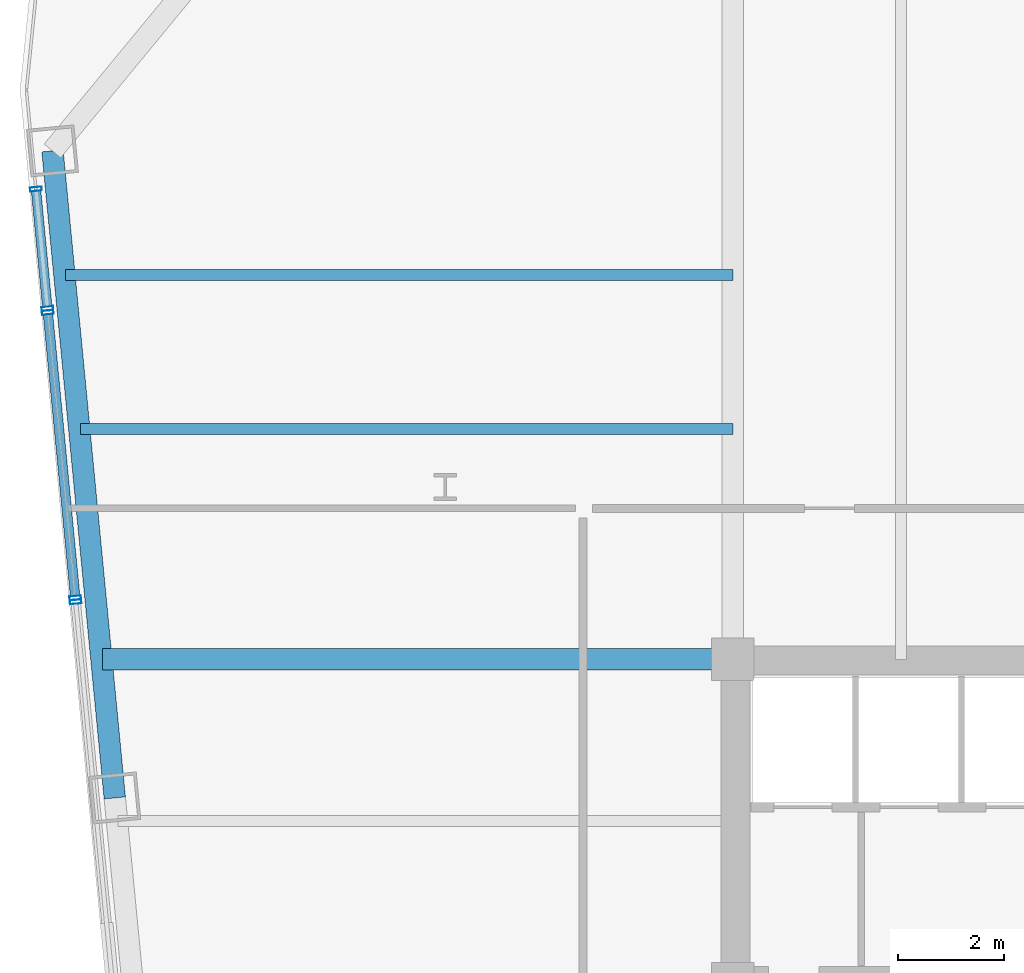
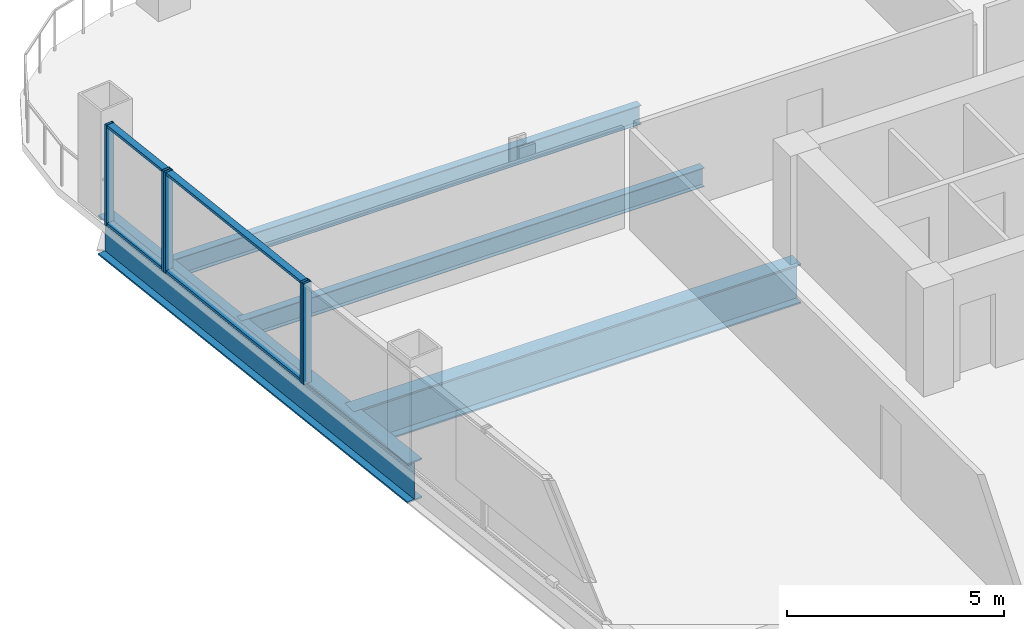
# One storey, part 14 of 26: 9 members, 4 beams, 3 elements without a shape of their own.
"""IFC4 building model written with IfcOpenShell, lengths in metres."""

from ifc_helpers import new_model, si_unit, direction, frame, origin, origin_2d, place, context, subcontext, project, spatial, hollow_rectangle, i_section, extrude, material, layer, layer_set, material_profile, profile_set, type_object, element, aggregate, save


model = new_model("IFC4")

# Units and contexts
model_context = context("Model", 3, precision=1e-05, world=origin(), true_north=direction((0.0, 1.0)))
body_context = subcontext(model_context, "Body", "Model", "MODEL_VIEW")
ifc_project = project(units=[si_unit("LENGTHUNIT", "METRE"), si_unit("AREAUNIT", "SQUARE_METRE"), si_unit("VOLUMEUNIT", "CUBIC_METRE"), si_unit("PLANEANGLEUNIT", "RADIAN"), si_unit("MASSUNIT", "GRAM", prefix="KILO")], contexts=[model_context])

# Site, building, storey
site_placement = place(None, origin())
site = spatial("IfcSite", under=ifc_project, at=site_placement, CompositionType="ELEMENT")
building_placement = place(site_placement, origin())
building = spatial("IfcBuilding", under=site, at=building_placement, Name="Qhalaya Broadcast Tower", CompositionType="ELEMENT")
storey_placement = place(building_placement, frame((0.0, 0.0, 72.5)))
storey = spatial("IfcBuildingStorey", under=building, at=storey_placement, Name="L20", CompositionType="ELEMENT", Elevation=72.5)

# Beams
ifc_material_1 = material(Name="Structural Steel ASTM A992 Grade 50", Category="steel")
ifc_material_profile_1 = material_profile(ifc_material_1, i_section(OverallWidth=0.2099609375, OverallDepth=0.535888671875, WebThickness=0.010986328125, FlangeThickness=0.017333984375, at=origin_2d()), Name="W21X68")
ifc_profile_set_1 = profile_set([ifc_material_profile_1], Name="Structural Steel ASTM A992 Grade 50")
beam_type_1 = type_object("IfcBeamType", Name="Composite Floor Joist J02", PredefinedType="JOIST", material=ifc_profile_set_1)
beam_1_placement = place(storey_placement, frame((-21.6875, 14.300048828125, -0.488037109375), z_axis=(1.0, 0.0, 0.0), x_axis=(0.0, 1.0, 0.0)))
element("IfcBeam", 1, at=beam_1_placement, inside=storey, type_object=beam_type_1, Name="L20 J02 L20-JWE6W-1", PredefinedType="JOIST", context=body_context, shape_type="SweptSolid", body=[
    extrude(i_section(OverallWidth=0.2099609375, OverallDepth=0.535888671875, WebThickness=0.010986328125, FlangeThickness=0.017333984375, at=origin_2d()), origin(), (0.0, 0.0, 1.0), 12.3125),
])
beam_2_placement = place(storey_placement, frame((-21.966796875, 17.199951171875, -0.488037109375), z_axis=(1.0, 0.0, 0.0), x_axis=(0.0, 1.0, 0.0)))
element("IfcBeam", 2, at=beam_2_placement, inside=storey, type_object=beam_type_1, Name="L20 J02 L20-JWE7W-1", PredefinedType="JOIST", context=body_context, shape_type="SweptSolid", body=[
    extrude(i_section(OverallWidth=0.2099609375, OverallDepth=0.535888671875, WebThickness=0.010986328125, FlangeThickness=0.017333984375, at=origin_2d()), origin(), (0.0, 0.0, 1.0), 12.591796875),
])
ifc_material_profile_2 = material_profile(ifc_material_1, i_section(OverallWidth=0.404052734375, OverallDepth=1.117919921875, WebThickness=0.026123046875, FlangeThickness=0.044921875, at=origin_2d()), Name="W44X335")
ifc_profile_set_2 = profile_set([ifc_material_profile_2], Name="Structural Steel ASTM A992 Grade 50")
beam_type_2 = type_object("IfcBeamType", Name="Podium Long-Span Primary Girder PG1", PredefinedType="USERDEFINED", material=ifc_profile_set_2)
beam_3_placement = place(storey_placement, frame((-22.212646484375, 19.54541015625, -0.779052734375), z_axis=(0.095851586307, -0.99539563662, 0.0), x_axis=(0.99539563662, 0.095851586307, 0.0)))
element("IfcBeam", 3, at=beam_3_placement, inside=storey, type_object=beam_type_2, Name="L20 PG1 L20-SPR-13", ObjectType="GIRDER", PredefinedType="USERDEFINED", context=body_context, shape_type="SweptSolid", body=[
    extrude(i_section(OverallWidth=0.404052734375, OverallDepth=1.117919921875, WebThickness=0.026123046875, FlangeThickness=0.044921875, at=origin_2d()), origin(), (0.0, 0.0, 1.0), 12.2666015625),
])
beam_4_placement = place(storey_placement, frame((-21.2685546875, 9.949951171875, -0.779052734375), z_axis=(1.0, 0.0, 0.0), x_axis=(0.0, 1.0, 0.0)))
element("IfcBeam", 4, at=beam_4_placement, inside=storey, type_object=beam_type_2, Name="L20 PG1 L20-PGYW4-1", ObjectType="GIRDER", PredefinedType="USERDEFINED", context=body_context, shape_type="SweptSolid", body=[
    extrude(i_section(OverallWidth=0.404052734375, OverallDepth=1.117919921875, WebThickness=0.026123046875, FlangeThickness=0.044921875, at=origin_2d()), origin(), (0.0, 0.0, 1.0), 11.8935546875),
])

# Curtain wall, members
ifc_material_2 = material(Name="Fired Architectural Terracotta", Category="masonry")
ifc_layer_1 = layer(ifc_material_2, 0.219970703125, Name="Fired Architectural Terracotta")
ifc_layer_set_1 = layer_set([ifc_layer_1], Name="Fired Architectural Terracotta")
curtain_wall_type_1 = type_object("IfcCurtainWallType", Name="Block-Cap Unitised Terracotta Spandrel Wall CW-07", PredefinedType="NOTDEFINED", material=ifc_layer_set_1)
curtain_wall_1_placement = place(storey_placement, origin())
curtain_wall_1 = element("IfcCurtainWall", 5, at=curtain_wall_1_placement, inside=storey, type_object=curtain_wall_type_1, Name="L20 Unitised Curtain Wall L20-CW-W1", PredefinedType="NOTDEFINED")
ifc_material_3 = material(Name="Anodised Aluminium 6063-T6", Category="aluminium")
ifc_material_profile_3 = material_profile(ifc_material_3, hollow_rectangle(XDim=0.074951171875, YDim=0.219970703125, WallThickness=0.00390625, at=origin_2d()), Name="ALU-MUL 75x220x4")
ifc_profile_set_3 = profile_set([ifc_material_profile_3], Name="Anodised Aluminium 6063-T6")
member_type_1 = type_object("IfcMemberType", Name="Unitised Curtain-Wall Mullion M01", PredefinedType="MULLION", material=ifc_profile_set_3)
member_1_placement = place(storey_placement, frame((-22.52490234375, 18.82470703125, 0.0), z_axis=(0.0, 0.0, 1.0), x_axis=(0.095855723819, -0.99539523819, 0.0)))
member_1 = element("IfcMember", 6, at=member_1_placement, type_object=member_type_1, Name="CW-07 mullion 1", PredefinedType="MULLION", context=body_context, shape_type="SweptSolid", body=[
    extrude(hollow_rectangle(XDim=0.074951171875, YDim=0.219970703125, WallThickness=0.00390625, at=origin_2d()), origin(), (0.0, 0.0, 1.0), 2.830078125),
])
member_2_placement = place(storey_placement, frame((-22.307861328125, 16.570068359375, 0.0), z_axis=(0.0, 0.0, 1.0), x_axis=(0.095855723819, -0.99539523819, 0.0)))
member_2 = element("IfcMember", 7, at=member_2_placement, type_object=member_type_1, Name="CW-07 mullion 2", PredefinedType="MULLION", context=body_context, shape_type="SweptSolid", body=[
    extrude(hollow_rectangle(XDim=0.074951171875, YDim=0.219970703125, WallThickness=0.00390625, at=origin_2d()), origin(), (0.0, 0.0, 1.0), 2.830078125),
])

ifc_material_4 = material(Name="Solar-Control Low-E Triple Glazing", Category="glass")
ifc_layer_2 = layer(ifc_material_4, 0.219970703125, Name="Solar-Control Low-E Triple Glazing")
ifc_layer_set_2 = layer_set([ifc_layer_2], Name="Solar-Control Low-E Triple Glazing")
curtain_wall_type_2 = type_object("IfcCurtainWallType", Name="Even-Block 4-Storey Double-Module Curtain Wall CW-03", PredefinedType="NOTDEFINED", material=ifc_layer_set_2)
curtain_wall_2_placement = place(storey_placement, origin())
curtain_wall_2 = element("IfcCurtainWall", 8, at=curtain_wall_2_placement, inside=storey, type_object=curtain_wall_type_2, Name="L20 Unitised Curtain Wall L20-CW-W2", PredefinedType="NOTDEFINED")
member_3_placement = place(storey_placement, frame((-22.30078125, 16.495361328125, 0.0), z_axis=(0.0, 0.0, 1.0), x_axis=(0.095843001098, -0.995396463295, 0.0)))
member_3 = element("IfcMember", 9, at=member_3_placement, type_object=member_type_1, Name="CW-03 mullion 1", PredefinedType="MULLION", context=body_context, shape_type="SweptSolid", body=[
    extrude(hollow_rectangle(XDim=0.074951171875, YDim=0.219970703125, WallThickness=0.00390625, at=origin_2d()), origin(), (0.0, 0.0, 1.0), 2.830078125),
])
member_4_placement = place(storey_placement, frame((-21.781982421875, 11.109375, 0.0), z_axis=(0.0, 0.0, 1.0), x_axis=(0.095843001098, -0.995396463295, 0.0)))
member_4 = element("IfcMember", 10, at=member_4_placement, type_object=member_type_1, Name="CW-03 mullion 2", PredefinedType="MULLION", context=body_context, shape_type="SweptSolid", body=[
    extrude(hollow_rectangle(XDim=0.074951171875, YDim=0.219970703125, WallThickness=0.00390625, at=origin_2d()), origin(), (0.0, 0.0, 1.0), 2.830078125),
])

# Curtain wall, member
curtain_wall_3_placement = place(storey_placement, origin())
curtain_wall_3 = element("IfcCurtainWall", 11, at=curtain_wall_3_placement, inside=storey, type_object=curtain_wall_type_1, Name="L20 Unitised Curtain Wall L20-CW-W3", PredefinedType="NOTDEFINED")
member_5_placement = place(storey_placement, frame((-21.77490234375, 11.03466796875, 0.0), z_axis=(0.0, 0.0, 1.0), x_axis=(0.095850652435, -0.995395726547, 0.0)))
member_5 = element("IfcMember", 12, at=member_5_placement, type_object=member_type_1, Name="CW-07 mullion 1", PredefinedType="MULLION", context=body_context, shape_type="SweptSolid", body=[
    extrude(hollow_rectangle(XDim=0.074951171875, YDim=0.219970703125, WallThickness=0.00390625, at=origin_2d()), origin(), (0.0, 0.0, 1.0), 2.830078125),
])
aggregate(curtain_wall_3, [member_5])

# Member
ifc_material_profile_4 = material_profile(ifc_material_3, hollow_rectangle(XDim=0.074951171875, YDim=0.179931640625, WallThickness=0.00390625, at=origin_2d()), Name="ALU-TRN 75x180x4")
ifc_profile_set_4 = profile_set([ifc_material_profile_4], Name="Anodised Aluminium 6063-T6")
member_type_2 = type_object("IfcMemberType", Name="Unitised Curtain-Wall Transom T01", PredefinedType="USERDEFINED", material=ifc_profile_set_4)
member_6_placement = place(storey_placement, frame((-22.521484375, 18.787353515625, 0.03759765625), z_axis=(0.095871719122, -0.995393697726, 0.0), x_axis=(0.0, 0.0, 1.0)))
member_6 = element("IfcMember", 13, at=member_6_placement, type_object=member_type_2, Name="CW-07 transom 1.1", ObjectType="TRANSOM", PredefinedType="USERDEFINED", context=body_context, shape_type="SweptSolid", body=[
    extrude(hollow_rectangle(XDim=0.074951171875, YDim=0.179931640625, WallThickness=0.00390625, at=origin_2d()), origin(), (0.0, 0.0, 1.0), 2.18994140625),
])

member_7_placement = place(storey_placement, frame((-22.521484375, 18.787353515625, 2.79248046875), z_axis=(0.095871719122, -0.995393697726, 0.0), x_axis=(0.0, 0.0, 1.0)))
member_7 = element("IfcMember", 14, at=member_7_placement, type_object=member_type_2, Name="CW-07 transom 1.2", ObjectType="TRANSOM", PredefinedType="USERDEFINED", context=body_context, shape_type="SweptSolid", body=[
    extrude(hollow_rectangle(XDim=0.074951171875, YDim=0.179931640625, WallThickness=0.00390625, at=origin_2d()), origin(), (0.0, 0.0, 1.0), 2.18994140625),
])

aggregate(curtain_wall_1, [member_1, member_2, member_6, member_7])

member_8_placement = place(storey_placement, frame((-22.297119140625, 16.458251953125, 0.03759765625), z_axis=(0.09585189358, -0.995395607031, 0.0), x_axis=(0.0, 0.0, 1.0)))
member_8 = element("IfcMember", 15, at=member_8_placement, type_object=member_type_2, Name="CW-03 transom 1.1", ObjectType="TRANSOM", PredefinedType="USERDEFINED", context=body_context, shape_type="SweptSolid", body=[
    extrude(hollow_rectangle(XDim=0.074951171875, YDim=0.179931640625, WallThickness=0.00390625, at=origin_2d()), origin(), (0.0, 0.0, 1.0), 5.336181640625),
])

member_9_placement = place(storey_placement, frame((-22.297119140625, 16.458251953125, 2.79248046875), z_axis=(0.09585189358, -0.995395607031, 0.0), x_axis=(0.0, 0.0, 1.0)))
member_9 = element("IfcMember", 16, at=member_9_placement, type_object=member_type_2, Name="CW-03 transom 1.2", ObjectType="TRANSOM", PredefinedType="USERDEFINED", context=body_context, shape_type="SweptSolid", body=[
    extrude(hollow_rectangle(XDim=0.074951171875, YDim=0.179931640625, WallThickness=0.00390625, at=origin_2d()), origin(), (0.0, 0.0, 1.0), 5.336181640625),
])

aggregate(curtain_wall_2, [member_3, member_4, member_8, member_9])

save(model, "model.ifc")
